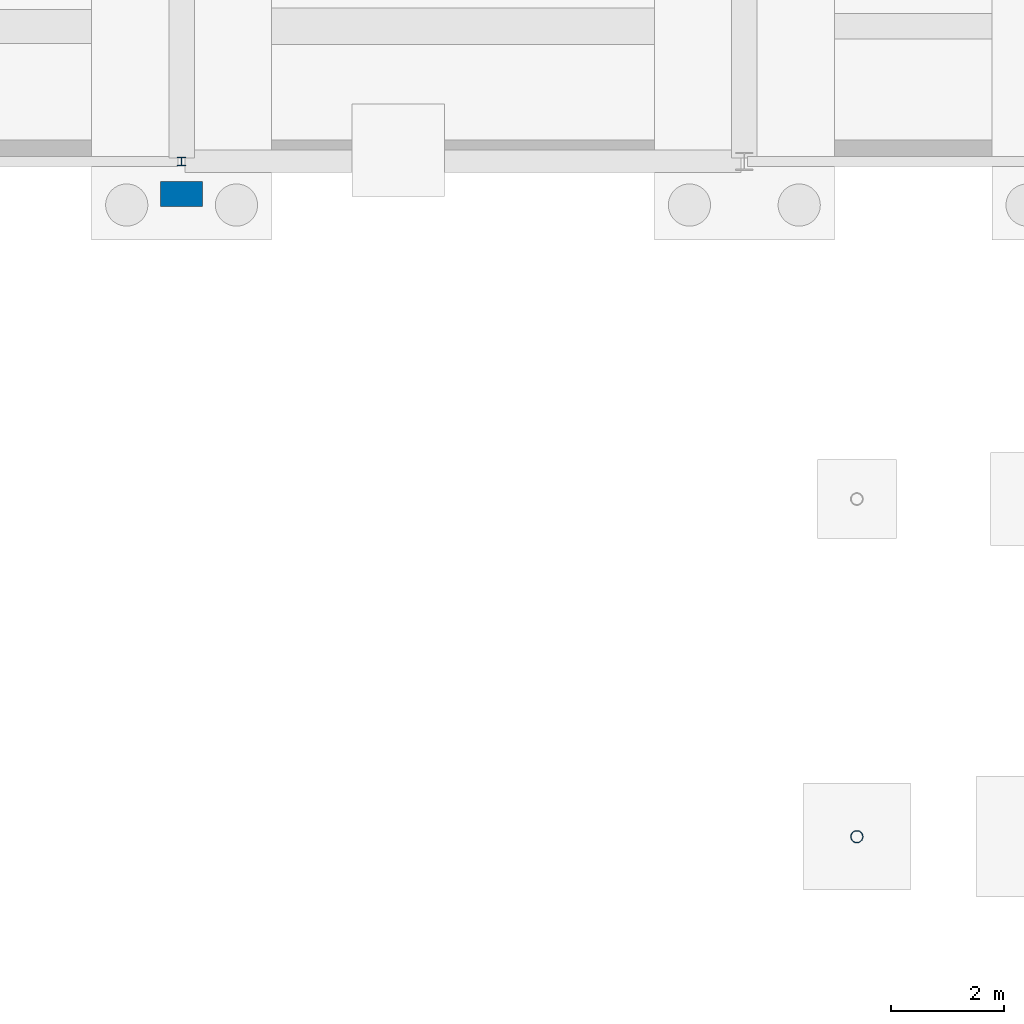
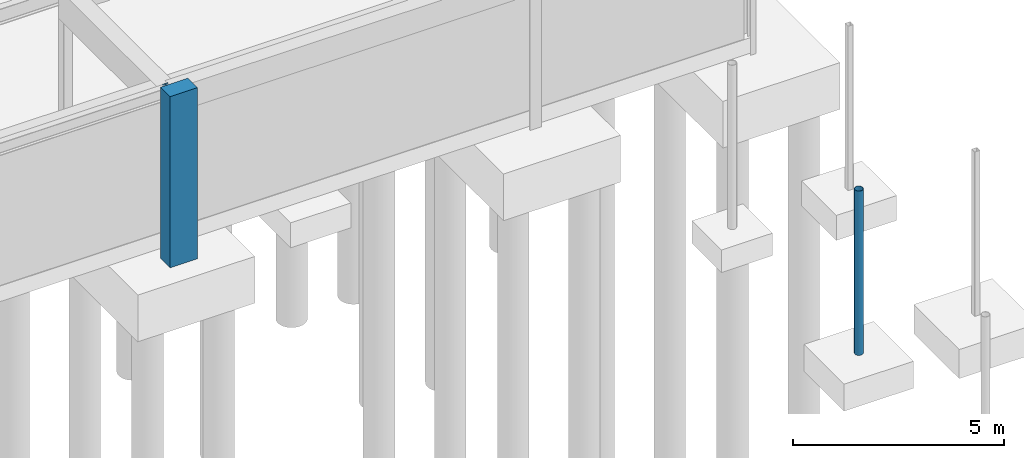
# One storey, part 52 of 75: 3 columns.
"""IFC4 building model written with IfcOpenShell, lengths in metres."""

from ifc_helpers import new_model, si_unit, derived_unit, direction, frame, origin, origin_2d_with_axis, place, context, subcontext, project, spatial, rectangle, hollow_circle, i_section, extrude, material, material_profile, profile_set, type_object, element, save


model = new_model("IFC4")

# Units and contexts
model_context = context("Model", 3, precision=1e-05, world=origin(), true_north=direction((0.0, 1.0)))
body_context = subcontext(model_context, "Body", "Model", "MODEL_VIEW")
ifc_project = project(units=[si_unit("LENGTHUNIT", "METRE"), si_unit("AREAUNIT", "SQUARE_METRE"), si_unit("VOLUMEUNIT", "CUBIC_METRE"), si_unit("PLANEANGLEUNIT", "RADIAN"), si_unit("MASSUNIT", "GRAM", prefix="KILO"), derived_unit("THERMALTRANSMITTANCEUNIT", [(si_unit("POWERUNIT", "WATT"), 1), (si_unit("LENGTHUNIT", "METRE"), -2), (si_unit("THERMODYNAMICTEMPERATUREUNIT", "KELVIN"), -1)])], contexts=[model_context])

# Site, building, storey
site_placement = place(None, origin())
site = spatial("IfcSite", under=ifc_project, at=site_placement, CompositionType="ELEMENT")
building_placement = place(site_placement, origin())
building = spatial("IfcBuilding", under=site, at=building_placement, Name="Cinnabar Yard Market Hall", CompositionType="ELEMENT")
storey_placement = place(building_placement, frame((0.0, 0.0, -4.5)))
storey = spatial("IfcBuildingStorey", under=building, at=storey_placement, Name="B1", CompositionType="ELEMENT", Elevation=-4.5)

# Columns
ifc_material_1 = material(Name="Spotted-gum glulam-clad steel Grade 350 (350 MPa)", Category="steel")
ifc_material_profile_1 = material_profile(ifc_material_1, hollow_circle(Radius=0.109619140625, WallThickness=0.00830078125, at=origin_2d_with_axis()), Name="219.1x8.2CHS")
ifc_profile_set_1 = profile_set([ifc_material_profile_1], Name="Spotted-gum glulam-clad steel Grade 350 (350 MPa)")
column_type_1 = type_object("IfcColumnType", Name="COL-C05", PredefinedType="COLUMN", material=ifc_profile_set_1)
column_1_placement = place(storey_placement, frame((158.0, 96.0, -0.449951171875), z_axis=(0.0, 0.0, 1.0), x_axis=(1.0, 0.0, 0.0)))
element("IfcColumn", 1, at=column_1_placement, inside=storey, type_object=column_type_1, Name="Passage Pier V5E-A4 B1", PredefinedType="COLUMN", context=body_context, shape_type="SweptSolid", body=[
    extrude(hollow_circle(Radius=0.109619140625, WallThickness=0.00830078125, at=origin_2d_with_axis()), origin(), (0.0, 0.0, 1.0), 4.75),
])
ifc_material_2 = material(Name="Steel Grade 300 (300 MPa)", Category="steel")
ifc_material_profile_2 = material_profile(ifc_material_2, i_section(OverallWidth=0.152099609375, OverallDepth=0.15234375, WebThickness=0.005859375, FlangeThickness=0.0068359375, FilletRadius=0.0087890625, at=origin_2d_with_axis()), Name="150UC23.4")
ifc_profile_set_2 = profile_set([ifc_material_profile_2], Name="Steel Grade 300 (300 MPa)")
column_type_2 = type_object("IfcColumnType", Name="COL-C19", PredefinedType="COLUMN", material=ifc_profile_set_2)
column_2_placement = place(storey_placement, frame((146.0, 108.0, -0.449951171875), z_axis=(0.0, 0.0, 1.0), x_axis=(1.0, 0.0, 0.0)))
element("IfcColumn", 2, at=column_2_placement, inside=storey, type_object=column_type_2, Name="Wing Column V3-09-01 B1", PredefinedType="COLUMN", context=body_context, shape_type="SweptSolid", body=[
    extrude(i_section(OverallWidth=0.152099609375, OverallDepth=0.15234375, WebThickness=0.005859375, FlangeThickness=0.0068359375, FilletRadius=0.0087890625, at=origin_2d_with_axis()), origin(), (0.0, 0.0, 1.0), 4.669921875),
])
ifc_material_3 = material(Name="Concrete 40 MPa", Category="concrete")
ifc_material_profile_3 = material_profile(ifc_material_3, rectangle(XDim=0.75, YDim=0.449951171875, at=origin_2d_with_axis()), Name="RC-750x450")
ifc_profile_set_3 = profile_set([ifc_material_profile_3], Name="Concrete 40 MPa")
column_type_3 = type_object("IfcColumnType", Name="COL-PIL1", PredefinedType="PILASTER", material=ifc_profile_set_3)
column_3_placement = place(storey_placement, frame((146.0, 107.419921875, -0.449951171875), z_axis=(0.0, 0.0, 1.0), x_axis=(1.0, 0.0, 0.0)))
element("IfcColumn", 3, at=column_3_placement, inside=storey, type_object=column_type_3, Name="Pilaster Pier 07", PredefinedType="PILASTER", context=body_context, shape_type="SweptSolid", body=[
    extrude(rectangle(XDim=0.75, YDim=0.449951171875, at=origin_2d_with_axis()), origin(), (0.0, 0.0, 1.0), 4.949951171875),
])

save(model, "model.ifc")
